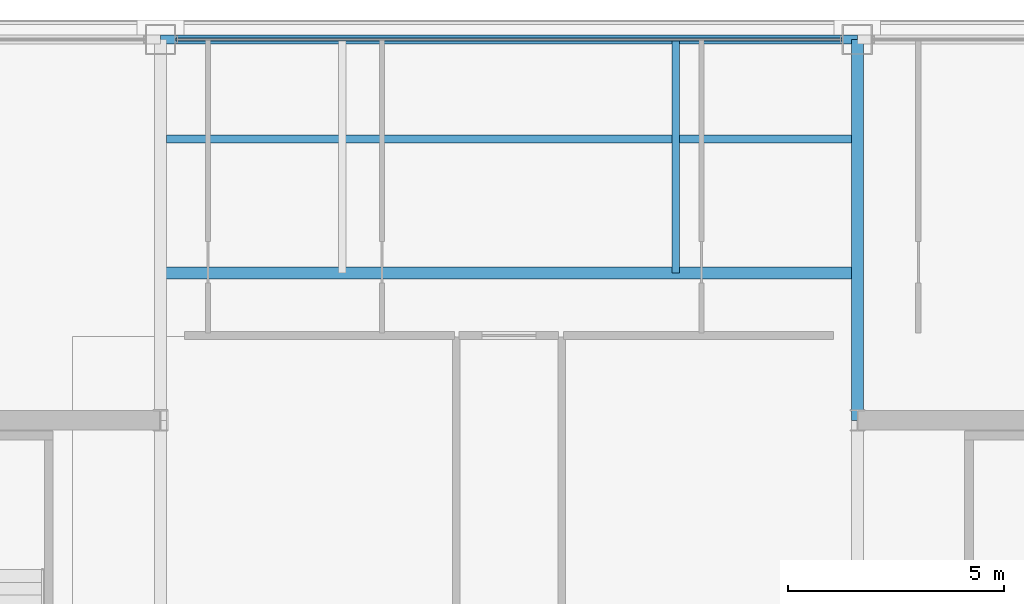
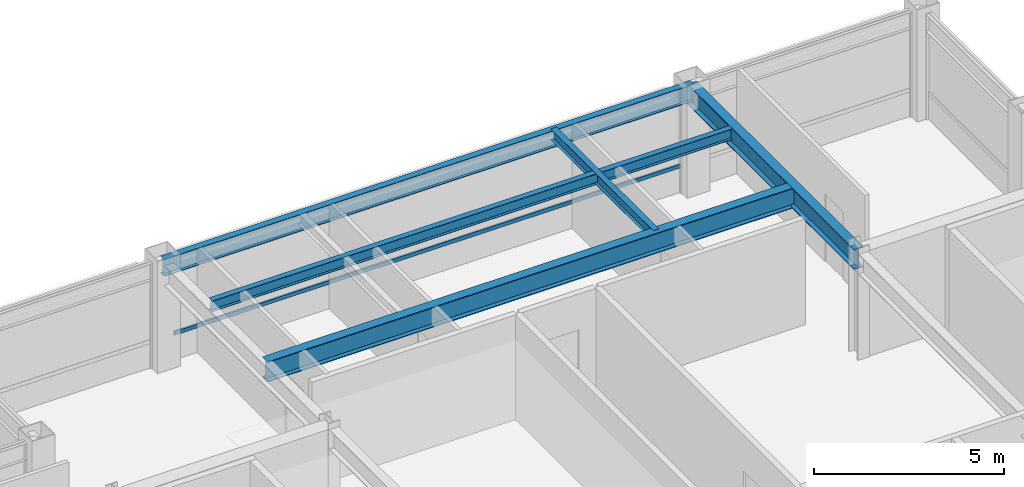
# One storey, part 19 of 26: 5 beams, 1 member, 1 element without a shape of its own.
"""IFC4 building model written with IfcOpenShell, lengths in metres."""

import ifcopenshell
import ifcopenshell.guid

model = None  # the IFC model being written
_history = None  # IfcOwnerHistory: only IFC2X3 demands one
_inside = {}  # id of a spatial element -> (the spatial element, [elements in it])
_under = {}  # id of a project, library or spatial element -> (it, [spatial elements below it])
_declared = {}  # id of a project -> (the project, [libraries it declares])
_typed = {}  # id of a type object -> (the type object, [elements of that type])
_made_of = {}  # id of a material, layer set ... -> (it, [elements and type objects made of it])


def new_model(schema):
    """Start an empty IFC model of exactly this schema.

    Asked for "IFC4X3", IfcOpenShell would pick the latest addendum, in which some entities
    have other attributes; the version numbers below select the first issue.
    IFC2X3 requires an IfcOwnerHistory on every rooted entity: one is made here for all.
    """
    global model, _history
    if schema == "IFC4X3":
        model = ifcopenshell.file(schema_version=(4, 3, 0, 0))
    else:
        model = ifcopenshell.file(schema=schema)
    _inside.clear()
    _under.clear()
    _declared.clear()
    _typed.clear()
    _made_of.clear()
    _history = None
    if model.schema == "IFC2X3":
        org = make("IfcOrganization", Name="unknown")
        user = make(
            "IfcPersonAndOrganization",
            ThePerson=make("IfcPerson", FamilyName="unknown"),
            TheOrganization=org,
        )
        app = make(
            "IfcApplication",
            ApplicationDeveloper=org,
            Version="unknown",
            ApplicationFullName="unknown",
            ApplicationIdentifier="unknown",
        )
        _history = make(
            "IfcOwnerHistory",
            OwningUser=user,
            OwningApplication=app,
            ChangeAction="ADDED",
            CreationDate=0,
        )
    return model


def make(cls, **values):
    """One entity of the class cls with the attributes given. An attribute that is None is left unset."""
    return model.create_entity(
        cls, **{name: value for name, value in values.items() if value is not None}
    )


def rooted(cls, **values):
    """An entity with a GlobalId (a new one), such as an element, a storey or a relation."""
    return make(cls, GlobalId=ifcopenshell.guid.new(), OwnerHistory=_history, **values)


def si_unit(unit_type, name, prefix=None):
    """IfcSIUnit, for example si_unit("LENGTHUNIT", "METRE", prefix="MILLI")."""
    return make("IfcSIUnit", UnitType=unit_type, Prefix=prefix, Name=name)


def assignment(units):
    """IfcUnitAssignment: the units of a project."""
    return None if units is None else make("IfcUnitAssignment", Units=units)


def point(xyz):
    """IfcCartesianPoint."""
    return None if xyz is None else make("IfcCartesianPoint", Coordinates=xyz)


def direction(xyz):
    """IfcDirection."""
    return None if xyz is None else make("IfcDirection", DirectionRatios=xyz)


def frame(location, z_axis=None, x_axis=None):
    """IfcAxis2Placement3D, a coordinate frame: its origin and axes. An axis left out is left unset."""
    return make(
        "IfcAxis2Placement3D",
        Location=point(location),
        Axis=direction(z_axis),
        RefDirection=direction(x_axis),
    )


def frame_2d(location, x_axis=None):
    """IfcAxis2Placement2D, a coordinate frame in the plane: its origin and x axis."""
    return make(
        "IfcAxis2Placement2D", Location=point(location), RefDirection=direction(x_axis)
    )


def origin():
    """The frame at (0, 0, 0) with its axes left unset."""
    return frame((0.0, 0.0, 0.0))


def origin_2d():
    """The frame at (0, 0) in the plane with its x axis left unset."""
    return frame_2d((0.0, 0.0))


def place(relative_to, where):
    """IfcLocalPlacement: puts the frame where relative to a parent placement (None: the world)."""
    return make(
        "IfcLocalPlacement", PlacementRelTo=relative_to, RelativePlacement=where
    )


def context(
    kind, dimensions, precision=None, world=None, true_north=None, identifier=None
):
    """IfcGeometricRepresentationContext, for example the 3D "Model" context."""
    return make(
        "IfcGeometricRepresentationContext",
        ContextIdentifier=identifier,
        ContextType=kind,
        CoordinateSpaceDimension=dimensions,
        Precision=precision,
        WorldCoordinateSystem=world,
        TrueNorth=true_north,
    )


def subcontext(parent, identifier, kind, view, scale=None):
    """IfcGeometricRepresentationSubContext, for example "Body" below "Model"."""
    return make(
        "IfcGeometricRepresentationSubContext",
        ContextIdentifier=identifier,
        ContextType=kind,
        ParentContext=parent,
        TargetScale=scale,
        TargetView=view,
    )


def project(units=None, contexts=None):
    """IfcProject with its units and contexts."""
    return rooted(
        "IfcProject",
        Name="project",
        RepresentationContexts=contexts,
        UnitsInContext=assignment(units),
    )


def spatial(cls, under=None, at=None, **own):
    """A site, building, storey or space (cls), placed at a placement, below another one or the project."""
    s = rooted(cls, ObjectPlacement=at, **own)
    if under is not None:
        _under.setdefault(under.id(), (under, []))[1].append(s)
    return s


def profile(cls, at=None, kind="AREA", **sizes):
    """A parametric profile (cls). Its sizes go by their IFC names, for example OverallWidth=200.0."""
    return make(cls, ProfileType=kind, Position=at, **sizes)


def hollow_rectangle(**sizes):
    """IfcRectangleHollowProfileDef."""
    return profile("IfcRectangleHollowProfileDef", **sizes)


def i_section(**sizes):
    """IfcIShapeProfileDef."""
    return profile("IfcIShapeProfileDef", **sizes)


def extrude(swept, where, along, depth):
    """IfcExtrudedAreaSolid: the profile swept, set in the frame where, extruded along a direction by depth."""
    return make(
        "IfcExtrudedAreaSolid",
        SweptArea=swept,
        Position=where,
        ExtrudedDirection=direction(along),
        Depth=depth,
    )


def shape(context_of_items, identifier, shape_type, items):
    """IfcShapeRepresentation: the items that make up one representation, for example the "Body"."""
    return make(
        "IfcShapeRepresentation",
        ContextOfItems=context_of_items,
        RepresentationIdentifier=identifier,
        RepresentationType=shape_type,
        Items=items,
    )


def material(Name=None, Category=None):
    """IfcMaterial."""
    return make("IfcMaterial", Name=Name, Category=Category)


def layer(
    of_material, thickness, ventilated=None, Name=None, Category=None, Priority=None
):
    """IfcMaterialLayer: one layer of a wall or slab, of a material (None: an air gap)."""
    return make(
        "IfcMaterialLayer",
        Material=of_material,
        LayerThickness=thickness,
        IsVentilated=ventilated,
        Name=Name,
        Category=Category,
        Priority=Priority,
    )


def layer_set(layers, Name=None):
    """IfcMaterialLayerSet."""
    return make("IfcMaterialLayerSet", MaterialLayers=layers, LayerSetName=Name)


def material_profile(
    of_material, cross_section, Name=None, Category=None, Priority=None
):
    """IfcMaterialProfile: a cross section and its material."""
    return make(
        "IfcMaterialProfile",
        Name=Name,
        Material=of_material,
        Profile=cross_section,
        Priority=Priority,
        Category=Category,
    )


def profile_set(profiles, Name=None, composite=None):
    """IfcMaterialProfileSet."""
    return make(
        "IfcMaterialProfileSet",
        Name=Name,
        MaterialProfiles=profiles,
        CompositeProfile=composite,
    )


def made_of(thing, what):
    """Note that an element or type object is made of a material, layer set ...; save() writes the relation."""
    if what is not None:
        _made_of.setdefault(what.id(), (what, []))[1].append(thing)
    return thing


def type_object(cls, material=None, **own):
    """A type object (cls), such as IfcWallType, which elements share."""
    return made_of(rooted(cls, **own), material)


def element(
    cls,
    number,
    at=None,
    inside=None,
    cuts=None,
    type_object=None,
    material=None,
    context=None,
    identifier="Body",
    shape_type=None,
    held_by="IfcProductDefinitionShape",
    body=None,
    shapes=None,
    **own,
):
    """One element of the class cls, such as IfcWall. Its Tag is "e" and its number.

    at: its placement. inside: the storey or other place that contains it. cuts: it is an
    opening in that element (IfcRelVoidsElement). A single representation is given by context,
    identifier, shape_type and body (its items); several are given by shapes. held_by: the class
    of the entity that holds the representations. save() writes the other relations.
    """
    e = rooted(cls, Tag="e%d" % number, ObjectPlacement=at, **own)
    if body is not None:
        shapes = [shape(context, identifier, shape_type, body)]
    if shapes is not None:
        e.Representation = make(held_by, Representations=shapes)
    if inside is not None:
        _inside.setdefault(inside.id(), (inside, []))[1].append(e)
    if cuts is not None:
        rooted(
            "IfcRelVoidsElement", RelatingBuildingElement=cuts, RelatedOpeningElement=e
        )
    if type_object is not None:
        _typed.setdefault(type_object.id(), (type_object, []))[1].append(e)
    return made_of(e, material)


def aggregate(whole, parts):
    """IfcRelAggregates: a whole, such as a stair, and the parts it consists of."""
    return rooted("IfcRelAggregates", RelatingObject=whole, RelatedObjects=parts)


def save(model, path):
    """Write the relations noted so far, then the file.

    IfcRelAggregates (storeys below a building ...), IfcRelContainedInSpatialStructure (elements
    in a storey), IfcRelDefinesByType, IfcRelAssociatesMaterial and IfcRelDeclares: one each for
    every whole, place, type object, material and project.
    """
    for whole, parts in _under.values():
        aggregate(whole, parts)
    for where, things in _inside.values():
        rooted(
            "IfcRelContainedInSpatialStructure",
            RelatedElements=things,
            RelatingStructure=where,
        )
    for kind, things in _typed.values():
        rooted("IfcRelDefinesByType", RelatedObjects=things, RelatingType=kind)
    for what, things in _made_of.values():
        rooted("IfcRelAssociatesMaterial", RelatedObjects=things, RelatingMaterial=what)
    for by, libraries in _declared.values():
        rooted("IfcRelDeclares", RelatingContext=by, RelatedDefinitions=libraries)
    model.write(path)


model = new_model("IFC4")

# Units and contexts
model_context = context("Model", 3, precision=1e-05, world=origin(), true_north=direction((0.0, 1.0)))
body_context = subcontext(model_context, "Body", "Model", "MODEL_VIEW")
ifc_project = project(units=[si_unit("LENGTHUNIT", "METRE"), si_unit("AREAUNIT", "SQUARE_METRE"), si_unit("VOLUMEUNIT", "CUBIC_METRE"), si_unit("PLANEANGLEUNIT", "RADIAN"), si_unit("MASSUNIT", "GRAM", prefix="KILO")], contexts=[model_context])

# Site, building, storey
site_placement = place(None, origin())
site = spatial("IfcSite", under=ifc_project, at=site_placement, CompositionType="ELEMENT")
building_placement = place(site_placement, origin())
building = spatial("IfcBuilding", under=site, at=building_placement, Name="Brelmoor Portico Tower", CompositionType="ELEMENT")
storey_placement = place(building_placement, frame((0.0, 0.0, 205.5)))
storey = spatial("IfcBuildingStorey", under=building, at=storey_placement, Name="L54", CompositionType="ELEMENT", Elevation=205.5)

# Beams
ifc_material_1 = material(Name="Steel Q355B", Category="steel")
ifc_material_profile_1 = material_profile(ifc_material_1, i_section(OverallWidth=0.175048828125, OverallDepth=0.35009765625, WebThickness=0.007080078125, FlangeThickness=0.010986328125, at=origin_2d()), Name="HN 350x175x7x11")
ifc_profile_set_1 = profile_set([ifc_material_profile_1], Name="Steel Q355B")
beam_type_1 = type_object("IfcBeamType", Name="BM-JS-350", PredefinedType="JOIST", material=ifc_profile_set_1)
beam_1_placement = place(storey_placement, frame((3.85009765625, 13.14990234375, 3.22509765625), z_axis=(0.0, 1.0, 0.0), x_axis=(-1.0, 0.0, 0.0)))
element("IfcBeam", 1, at=beam_1_placement, inside=storey, type_object=beam_type_1, Name="L54 NE Turbine Deck Edge Beam", PredefinedType="JOIST", context=body_context, shape_type="SweptSolid", body=[
    extrude(i_section(OverallWidth=0.175048828125, OverallDepth=0.35009765625, WebThickness=0.007080078125, FlangeThickness=0.010986328125, at=origin_2d()), origin(), (0.0, 0.0, 1.0), 5.400146484375),
])
beam_2_placement = place(storey_placement, frame((-7.909912109375, 16.25, 3.22509765625), z_axis=(1.0, 0.0, 0.0), x_axis=(0.0, 1.0, 0.0)))
element("IfcBeam", 2, at=beam_2_placement, inside=storey, type_object=beam_type_1, Name="L54 Secondary Composite Joist JS-C02", PredefinedType="JOIST", context=body_context, shape_type="SweptSolid", body=[
    extrude(i_section(OverallWidth=0.175048828125, OverallDepth=0.35009765625, WebThickness=0.007080078125, FlangeThickness=0.010986328125, at=origin_2d()), origin(), (0.0, 0.0, 1.0), 15.81982421875),
])
ifc_material_profile_2 = material_profile(ifc_material_1, i_section(OverallWidth=0.280029296875, OverallDepth=0.64990234375, WebThickness=0.012939453125, FlangeThickness=0.02197265625, at=origin_2d()), Name="HN 650x280x13x22")
ifc_profile_set_2 = profile_set([ifc_material_profile_2], Name="Steel Q355B")
beam_type_2 = type_object("IfcBeamType", Name="BM-PG-650", PredefinedType="BEAM", material=ifc_profile_set_2)
beam_3_placement = place(storey_placement, frame((8.050048828125, 9.75, 3.074951171875), z_axis=(0.0, 1.0, 0.0), x_axis=(-1.0, 0.0, 0.0)))
element("IfcBeam", 3, at=beam_3_placement, inside=storey, type_object=beam_type_2, Name="L54 Primary Floor Girder PG-08", PredefinedType="BEAM", context=body_context, shape_type="SweptSolid", body=[
    extrude(i_section(OverallWidth=0.280029296875, OverallDepth=0.64990234375, WebThickness=0.012939453125, FlangeThickness=0.02197265625, at=origin_2d()), origin(), (0.0, 0.0, 1.0), 8.800048828125),
])
beam_4_placement = place(storey_placement, frame((-8.050048828125, 13.14990234375, 3.074951171875), z_axis=(1.0, 0.0, 0.0), x_axis=(0.0, 1.0, 0.0)))
element("IfcBeam", 4, at=beam_4_placement, inside=storey, type_object=beam_type_2, Name="L54 North Turbine Deck Header Girder", PredefinedType="BEAM", context=body_context, shape_type="SweptSolid", body=[
    extrude(i_section(OverallWidth=0.280029296875, OverallDepth=0.64990234375, WebThickness=0.012939453125, FlangeThickness=0.02197265625, at=origin_2d()), origin(), (0.0, 0.0, 1.0), 16.10009765625),
])
ifc_material_profile_3 = material_profile(ifc_material_1, i_section(OverallWidth=0.199951171875, OverallDepth=0.550048828125, WebThickness=0.010009765625, FlangeThickness=0.01611328125, at=origin_2d()), Name="HN 550x200x10x16")
ifc_profile_set_3 = profile_set([ifc_material_profile_3], Name="Steel Q355B")
beam_type_3 = type_object("IfcBeamType", Name="BM-SP-550", PredefinedType="SPANDREL", material=ifc_profile_set_3)
beam_5_placement = place(storey_placement, frame((-8.050048828125, 18.550048828125, 3.125), z_axis=(1.0, 0.0, 0.0), x_axis=(0.0, 1.0, 0.0)))
element("IfcBeam", 5, at=beam_5_placement, inside=storey, type_object=beam_type_3, Name="L54 Perimeter Spandrel Beam SP-09", PredefinedType="SPANDREL", context=body_context, shape_type="SweptSolid", body=[
    extrude(i_section(OverallWidth=0.199951171875, OverallDepth=0.550048828125, WebThickness=0.010009765625, FlangeThickness=0.01611328125, at=origin_2d()), origin(), (0.0, 0.0, 1.0), 16.10009765625),
])

# Curtain wall, member
ifc_material_2 = material(Name="Anodised Aluminium Alloy 6063-T6", Category="aluminium")
ifc_layer = layer(ifc_material_2, 0.179931640625)
ifc_layer_set = layer_set([ifc_layer], Name="Anodised Aluminium Alloy 6063-T6")
curtain_wall_type = type_object("IfcCurtainWallType", Name="CW-TOWER-Z3", PredefinedType="NOTDEFINED", material=ifc_layer_set)
curtain_wall_placement = place(storey_placement, origin())
curtain_wall = element("IfcCurtainWall", 6, at=curtain_wall_placement, inside=storey, type_object=curtain_wall_type, Name="L54 Curtain Wall CW-L54-02-2", PredefinedType="NOTDEFINED")
ifc_material_profile_4 = material_profile(ifc_material_2, hollow_rectangle(XDim=0.06005859375, YDim=0.125, WallThickness=0.00341796875, at=origin_2d()), Name="ALU TRANSOM 60x125")
ifc_profile_set_4 = profile_set([ifc_material_profile_4], Name="Anodised Aluminium Alloy 6063-T6")
member_type = type_object("IfcMemberType", Name="MB-CW-TRAN-125", PredefinedType="USERDEFINED", material=ifc_profile_set_4)
member_placement = place(storey_placement, frame((-7.68994140625, 18.550048828125, 0.85009765625), z_axis=(1.0, 0.0, 0.0), x_axis=(0.0, 1.0, 0.0)))
member = element("IfcMember", 7, at=member_placement, type_object=member_type, Name="CW-L54-02-2 Transom 1-00", ObjectType="TRANSOM", PredefinedType="USERDEFINED", context=body_context, shape_type="SweptSolid", body=[
    extrude(hollow_rectangle(XDim=0.06005859375, YDim=0.125, WallThickness=0.00341796875, at=origin_2d()), origin(), (0.0, 0.0, 1.0), 15.3798828125),
])
aggregate(curtain_wall, [member])

save(model, "model.ifc")
